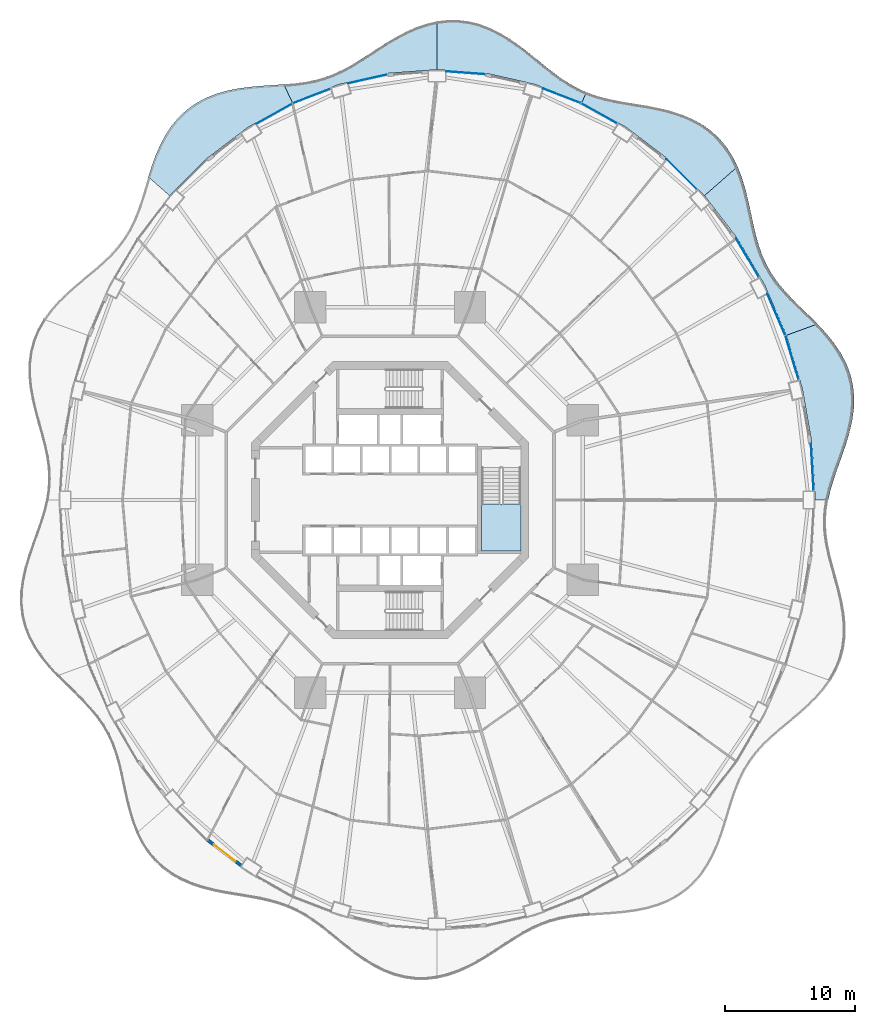
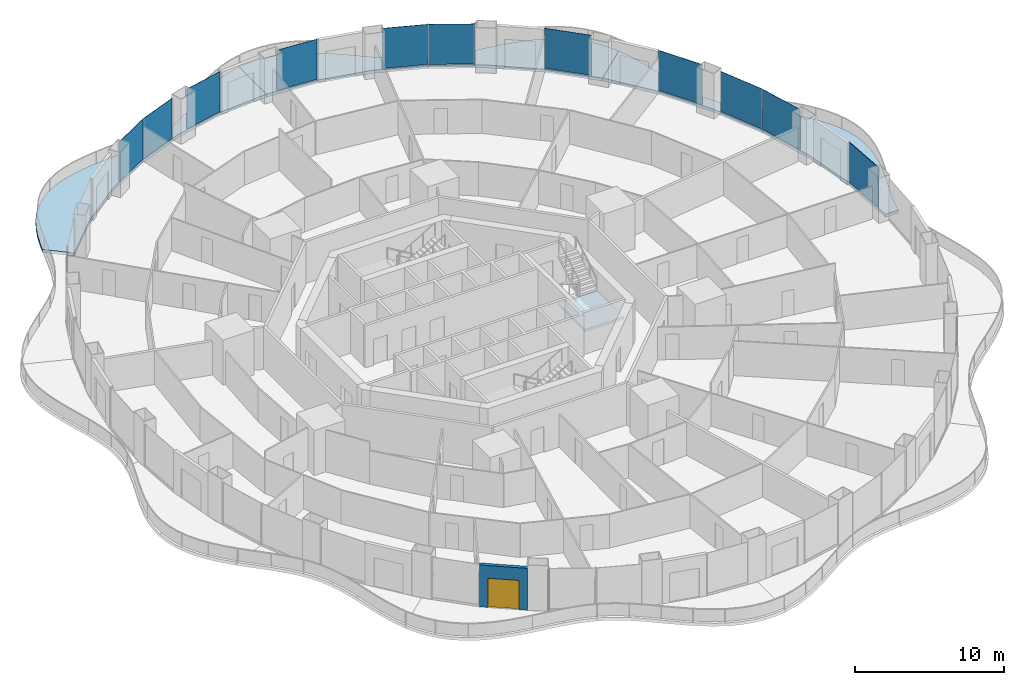
# One storey, part 13 of 22: 11 plates, 7 slabs, 1 door, 1 wall, 1 opening, 12 elements without a shape of their own.
"""IFC4 building model written with IfcOpenShell, lengths in metres."""

from ifc_helpers import new_model, si_unit, direction, frame, frame_2d, origin, origin_2d, place, context, subcontext, project, spatial, polyline, rectangle, outline, extrude, material, layer, layer_set, type_object, element, fill, aggregate, save


model = new_model("IFC4")

# Units and contexts
model_context = context("Model", 3, precision=1e-05, world=origin(), true_north=direction((0.0, 1.0)))
body_context = subcontext(model_context, "Body", "Model", "MODEL_VIEW")
ifc_project = project(units=[si_unit("LENGTHUNIT", "METRE"), si_unit("AREAUNIT", "SQUARE_METRE"), si_unit("VOLUMEUNIT", "CUBIC_METRE"), si_unit("PLANEANGLEUNIT", "RADIAN"), si_unit("MASSUNIT", "GRAM", prefix="KILO")], contexts=[model_context])

# Site, building, storey
site_placement = place(None, origin())
site = spatial("IfcSite", under=ifc_project, at=site_placement, CompositionType="ELEMENT")
building_placement = place(site_placement, origin())
building = spatial("IfcBuilding", under=site, at=building_placement, Name="Nagisa Residences", CompositionType="ELEMENT")
storey_placement = place(building_placement, frame((0.0, 0.0, 45.5)))
storey = spatial("IfcBuildingStorey", under=building, at=storey_placement, Name="L10", CompositionType="ELEMENT", Elevation=45.5)

# Slabs
ifc_material_1 = material(Name="Concrete C40/50", Category="concrete")
ifc_layer_1 = layer(ifc_material_1, 0.25)
ifc_layer_set_1 = layer_set([ifc_layer_1], Name="BALCONY SLAB 250")
slab_type_1 = type_object("IfcSlabType", Name="BALCONY SLAB 250", PredefinedType="FLOOR", material=ifc_layer_set_1)
slab_1_placement = place(storey_placement, frame((0.0, 0.0, -0.25)))
element("IfcSlab", 1, at=slab_1_placement, inside=storey, type_object=slab_type_1, Name="slab:L10:bal00", PredefinedType="FLOOR", context=body_context, shape_type="SweptSolid", body=[
    extrude(outline(polyline([(33.590576171875, 0.0), (33.789794921875, 0.8310546875), (34.048095703125, 1.673828125), (34.345703125, 2.53173828125), (34.659423828125, 3.406494140625), (34.962646484375, 4.296875), (35.229736328125, 5.199951171875), (35.435302734375, 6.110595703125), (35.5576171875, 7.021728515625), (35.5791015625, 7.925537109375), (35.488525390625, 8.81396484375), (35.28125, 9.678955078125), (34.958740234375, 10.513671875), (34.52978515625, 11.313720703125), (34.00927734375, 12.07666015625), (33.416748046875, 12.802734375), (32.77490234375, 13.495849609375), (30.392578125, 12.628662109375), (31.61181640625, 8.541015625), (32.351806640625, 4.307373046875), (32.60009765625, 0.0), (33.590576171875, 0.0)])), origin(), (0.0, 0.0, 1.0), 0.25),
])
slab_2_placement = place(storey_placement, frame((0.0, 0.0, -0.25)))
element("IfcSlab", 2, at=slab_2_placement, inside=storey, type_object=slab_type_1, Name="slab:L10:bal01", PredefinedType="FLOOR", context=body_context, shape_type="SweptSolid", body=[
    extrude(outline(polyline([(32.77490234375, 13.495849609375), (32.129638671875, 14.141845703125), (31.484619140625, 14.7705078125), (30.860595703125, 15.391845703125), (30.2763671875, 16.016357421875), (29.74609375, 16.654296875), (29.279296875, 17.316162109375), (28.879638671875, 18.009765625), (28.545654296875, 18.7412109375), (28.2705078125, 19.513427734375), (28.041748046875, 20.32568359375), (27.84375, 21.173583984375), (27.657958984375, 22.049072265625), (27.46435546875, 22.94091796875), (27.2431640625, 23.835205078125), (26.975830078125, 24.716064453125), (26.646240234375, 25.566650390625), (24.106201171875, 23.33447265625), (26.607177734375, 20.089111328125), (28.71484375, 16.5), (30.392578125, 12.628662109375), (32.77490234375, 13.495849609375)])), origin(), (0.0, 0.0, 1.0), 0.25),
])
slab_3_placement = place(storey_placement, frame((0.0, 0.0, -0.25)))
element("IfcSlab", 3, at=slab_3_placement, inside=storey, type_object=slab_type_1, Name="slab:L10:bal02", PredefinedType="FLOOR", context=body_context, shape_type="SweptSolid", body=[
    extrude(outline(polyline([(26.646240234375, 25.566650390625), (26.262939453125, 26.3349609375), (25.805419921875, 27.048095703125), (25.2705078125, 27.6953125), (24.659423828125, 28.26904296875), (23.9775390625, 28.7646484375), (23.2333984375, 29.181640625), (22.43798828125, 29.523193359375), (21.6044921875, 29.797119140625), (20.74755859375, 30.01416015625), (19.880859375, 30.188720703125), (19.017822265625, 30.336669921875), (18.170166015625, 30.475341796875), (17.346435546875, 30.62255859375), (16.552978515625, 30.794677734375), (15.79248046875, 31.00537109375), (15.064697265625, 31.266357421875), (14.69775390625, 30.488037109375), (18.10009765625, 28.578857421875), (21.254150390625, 26.1806640625), (24.106201171875, 23.33447265625), (26.646240234375, 25.566650390625)])), origin(), (0.0, 0.0, 1.0), 0.25),
])
slab_4_placement = place(storey_placement, frame((0.0, 0.0, -0.25)))
element("IfcSlab", 4, at=slab_4_placement, inside=storey, type_object=slab_type_1, Name="slab:L10:bal03", PredefinedType="FLOOR", context=body_context, shape_type="SweptSolid", body=[
    extrude(outline(polyline([(15.064697265625, 31.266357421875), (14.39111328125, 31.572021484375), (13.7392578125, 31.932861328125), (13.102294921875, 32.34716796875), (12.472412109375, 32.80908203125), (11.841064453125, 33.30810546875), (11.199951171875, 33.8310546875), (10.542236328125, 34.361572265625), (9.86181640625, 34.8818359375), (9.155517578125, 35.37255859375), (8.421142578125, 35.8154296875), (7.65966796875, 36.193115234375), (6.8740234375, 36.49072265625), (6.068603515625, 36.696533203125), (5.24951171875, 36.802978515625), (4.42431640625, 36.806884765625), (3.60009765625, 36.70947265625), (3.60009765625, 33.0), (7.38525390625, 32.7177734375), (11.105712890625, 31.87548828125), (14.69775390625, 30.488037109375), (15.064697265625, 31.266357421875)])), origin(), (0.0, 0.0, 1.0), 0.25),
])
slab_5_placement = place(storey_placement, frame((0.0, 0.0, -0.25)))
element("IfcSlab", 5, at=slab_5_placement, inside=storey, type_object=slab_type_1, Name="slab:L10:bal04", PredefinedType="FLOOR", context=body_context, shape_type="SweptSolid", body=[
    extrude(outline(polyline([(3.60009765625, 36.70947265625), (2.783935546875, 36.5166015625), (1.982177734375, 36.23876953125), (1.19970703125, 35.889404296875), (0.439453125, 35.4853515625), (-0.29736328125, 35.044677734375), (-1.012451171875, 34.5869140625), (-1.708740234375, 34.13037109375), (-2.391357421875, 33.69287109375), (-3.066650390625, 33.2890625), (-3.7421875, 32.9306640625), (-4.42529296875, 32.625244140625), (-5.122802734375, 32.376708984375), (-5.8408203125, 32.183837890625), (-6.583740234375, 32.041748046875), (-7.353271484375, 31.94140625), (-8.149658203125, 31.870849609375), (-7.497802734375, 30.488037109375), (-3.90576171875, 31.87548828125), (-0.185302734375, 32.7177734375), (3.60009765625, 33.0), (3.60009765625, 36.70947265625)])), origin(), (0.0, 0.0, 1.0), 0.25),
])
slab_6_placement = place(storey_placement, frame((0.0, 0.0, -0.25)))
element("IfcSlab", 6, at=slab_6_placement, inside=storey, type_object=slab_type_1, Name="slab:L10:bal05", PredefinedType="FLOOR", context=body_context, shape_type="SweptSolid", body=[
    extrude(outline(polyline([(-8.149658203125, 31.870849609375), (-9.00048828125, 31.813232421875), (-9.870361328125, 31.753662109375), (-10.750732421875, 31.673828125), (-11.6298828125, 31.5556640625), (-12.49560546875, 31.383056640625), (-13.334716796875, 31.142578125), (-14.134033203125, 30.823974609375), (-14.882080078125, 30.421875), (-15.56884765625, 29.93408203125), (-16.187744140625, 29.36376953125), (-16.735107421875, 28.717041015625), (-17.211669921875, 28.004638671875), (-17.62109375, 27.23876953125), (-17.971435546875, 26.4345703125), (-18.274169921875, 25.607421875), (-18.542724609375, 24.77294921875), (-16.906005859375, 23.33447265625), (-14.05419921875, 26.1806640625), (-10.89990234375, 28.578857421875), (-7.497802734375, 30.488037109375), (-8.149658203125, 31.870849609375)])), origin(), (0.0, 0.0, 1.0), 0.25),
])

# Curtain wall, plate
ifc_material_2 = material(Name="Concrete-coloured aluminium curtain wall system", Category="concrete")
ifc_layer_2 = layer(ifc_material_2, 0.159912109375)
ifc_layer_set_2 = layer_set([ifc_layer_2], Name="CW1 CURTAIN WALL")
curtain_wall_type = type_object("IfcCurtainWallType", Name="CW1 CURTAIN WALL", PredefinedType="NOTDEFINED", material=ifc_layer_set_2)
curtain_wall_1_placement = place(storey_placement, origin())
curtain_wall_1 = element("IfcCurtainWall", 7, at=curtain_wall_1_placement, inside=storey, type_object=curtain_wall_type, Name="cw:CW1:L10:00", PredefinedType="NOTDEFINED")
ifc_material_3 = material(Name="Clear laminated glass", Category="glass")
ifc_layer_3 = layer(ifc_material_3, 0.028076171875)
ifc_layer_set_3 = layer_set([ifc_layer_3], Name="CW1 GLASS PANEL")
plate_type = type_object("IfcPlateType", Name="CW1 GLASS PANEL", PredefinedType="CURTAIN_PANEL", material=ifc_layer_set_3)
plate_1_placement = place(storey_placement, frame((32.374267578125, 2.528564453125, 0.14990234375), z_axis=(0.0, 0.0, 1.0), x_axis=(-0.057503492216, 0.998345305184, 0.0)))
plate_1 = element("IfcPlate", 8, at=plate_1_placement, type_object=plate_type, Name="CW1 panel", PredefinedType="CURTAIN_PANEL", context=body_context, shape_type="SweptSolid", body=[
    extrude(rectangle(XDim=3.554443359375, YDim=0.028076171875, at=origin_2d()), origin(), (0.0, 0.0, 1.0), 3.2900390625),
])
aggregate(curtain_wall_1, [plate_1])

curtain_wall_2_placement = place(storey_placement, origin())
curtain_wall_2 = element("IfcCurtainWall", 9, at=curtain_wall_2_placement, inside=storey, type_object=curtain_wall_type, Name="cw:CW1:L10:02", PredefinedType="NOTDEFINED")
plate_2_placement = place(storey_placement, frame((30.81689453125, 10.926025390625, 0.14990234375), z_axis=(0.0, 0.0, 1.0), x_axis=(-0.285860274038, 0.958271310082, 0.0)))
plate_2 = element("IfcPlate", 10, at=plate_2_placement, type_object=plate_type, Name="CW1 panel", PredefinedType="CURTAIN_PANEL", context=body_context, shape_type="SweptSolid", body=[
    extrude(rectangle(XDim=3.505615234375, YDim=0.028076171875, at=origin_2d()), origin(), (0.0, 0.0, 1.0), 3.2900390625),
])
aggregate(curtain_wall_2, [plate_2])

curtain_wall_3_placement = place(storey_placement, origin())
curtain_wall_3 = element("IfcCurtainWall", 11, at=curtain_wall_3_placement, inside=storey, type_object=curtain_wall_type, Name="cw:CW1:L10:03", PredefinedType="NOTDEFINED")
plate_3_placement = place(storey_placement, frame((29.607421875, 14.23876953125, 0.14990234375), z_axis=(0.0, 0.0, 1.0), x_axis=(-0.397635934147, 0.917543276295, 0.0)))
plate_3 = element("IfcPlate", 12, at=plate_3_placement, type_object=plate_type, Name="CW1 panel", PredefinedType="CURTAIN_PANEL", context=body_context, shape_type="SweptSolid", body=[
    extrude(rectangle(XDim=3.45947265625, YDim=0.028076171875, at=origin_2d()), origin(), (0.0, 0.0, 1.0), 3.2900390625),
])
aggregate(curtain_wall_3, [plate_3])

curtain_wall_4_placement = place(storey_placement, origin())
curtain_wall_4 = element("IfcCurtainWall", 13, at=curtain_wall_4_placement, inside=storey, type_object=curtain_wall_type, Name="cw:CW1:L10:04", PredefinedType="NOTDEFINED")
plate_4_placement = place(storey_placement, frame((27.399658203125, 18.581787109375, 0.14990234375), z_axis=(0.0, 0.0, 1.0), x_axis=(-0.506348567002, 0.862328898214, 0.0)))
plate_4 = element("IfcPlate", 14, at=plate_4_placement, type_object=plate_type, Name="CW1 panel", PredefinedType="CURTAIN_PANEL", context=body_context, shape_type="SweptSolid", body=[
    extrude(rectangle(XDim=3.402099609375, YDim=0.028076171875, at=origin_2d()), origin(), (0.0, 0.0, 1.0), 3.2900390625),
])
aggregate(curtain_wall_4, [plate_4])

curtain_wall_5_placement = place(storey_placement, origin())
curtain_wall_5 = element("IfcCurtainWall", 15, at=curtain_wall_5_placement, inside=storey, type_object=curtain_wall_type, Name="cw:CW1:L10:06", PredefinedType="NOTDEFINED")
plate_5_placement = place(storey_placement, frame((22.3544921875, 24.969482421875, 0.14990234375), z_axis=(0.0, 0.0, 1.0), x_axis=(-0.707835924016, 0.706376885714, 0.0)))
plate_5 = element("IfcPlate", 16, at=plate_5_placement, type_object=plate_type, Name="CW1 panel", PredefinedType="CURTAIN_PANEL", context=body_context, shape_type="SweptSolid", body=[
    extrude(rectangle(XDim=3.269287109375, YDim=0.028076171875, at=origin_2d()), origin(), (0.0, 0.0, 1.0), 3.2900390625),
])
aggregate(curtain_wall_5, [plate_5])

curtain_wall_6_placement = place(storey_placement, origin())
curtain_wall_6 = element("IfcCurtainWall", 17, at=curtain_wall_6_placement, inside=storey, type_object=curtain_wall_type, Name="cw:CW1:L10:08", PredefinedType="NOTDEFINED")
plate_6_placement = place(storey_placement, frame((16.0283203125, 29.649658203125, 0.14990234375), z_axis=(0.0, 0.0, 1.0), x_axis=(-0.872072377523, 0.489376918501, 0.0)))
plate_6 = element("IfcPlate", 18, at=plate_6_placement, type_object=plate_type, Name="CW1 panel", PredefinedType="CURTAIN_PANEL", context=body_context, shape_type="SweptSolid", body=[
    extrude(rectangle(XDim=3.141357421875, YDim=0.028076171875, at=origin_2d()), origin(), (0.0, 0.0, 1.0), 3.2900390625),
])
aggregate(curtain_wall_6, [plate_6])

curtain_wall_7_placement = place(storey_placement, origin())
curtain_wall_7 = element("IfcCurtainWall", 19, at=curtain_wall_7_placement, inside=storey, type_object=curtain_wall_type, Name="cw:CW1:L10:09", PredefinedType="NOTDEFINED")
plate_7_placement = place(storey_placement, frame((13.17138671875, 30.991943359375, 0.14990234375), z_axis=(0.0, 0.0, 1.0), x_axis=(-0.932825759707, 0.360327770268, 0.0)))
plate_7 = element("IfcPlate", 20, at=plate_7_placement, type_object=plate_type, Name="CW1 panel", PredefinedType="CURTAIN_PANEL", context=body_context, shape_type="SweptSolid", body=[
    extrude(rectangle(XDim=3.0908203125, YDim=0.028076171875, at=origin_2d()), origin(), (0.0, 0.0, 1.0), 3.2900390625),
])
aggregate(curtain_wall_7, [plate_7])

curtain_wall_8_placement = place(storey_placement, origin())
curtain_wall_8 = element("IfcCurtainWall", 21, at=curtain_wall_8_placement, inside=storey, type_object=curtain_wall_type, Name="cw:CW1:L10:11", PredefinedType="NOTDEFINED")
plate_8_placement = place(storey_placement, frame((5.805908203125, 32.75537109375, 0.14990234375), z_axis=(0.0, 0.0, 1.0), x_axis=(-0.997230168512, 0.074377355493, 0.0)))
plate_8 = element("IfcPlate", 22, at=plate_8_placement, type_object=plate_type, Name="CW1 panel", PredefinedType="CURTAIN_PANEL", context=body_context, shape_type="SweptSolid", body=[
    extrude(rectangle(XDim=3.035888671875, YDim=0.028076171875, at=origin_2d()), origin(), (0.0, 0.0, 1.0), 3.2900390625),
])
aggregate(curtain_wall_8, [plate_8])

curtain_wall_9_placement = place(storey_placement, origin())
curtain_wall_9 = element("IfcCurtainWall", 23, at=curtain_wall_9_placement, inside=storey, type_object=curtain_wall_type, Name="cw:CW1:L10:13", PredefinedType="NOTDEFINED")
plate_9_placement = place(storey_placement, frame((-1.7158203125, 32.289306640625, 0.14990234375), z_axis=(0.0, 0.0, 1.0), x_axis=(-0.975327274089, -0.2207639201, 0.0)))
plate_9 = element("IfcPlate", 24, at=plate_9_placement, type_object=plate_type, Name="CW1 panel", PredefinedType="CURTAIN_PANEL", context=body_context, shape_type="SweptSolid", body=[
    extrude(rectangle(XDim=3.0546875, YDim=0.028076171875, at=origin_2d()), origin(), (0.0, 0.0, 1.0), 3.2900390625),
])
aggregate(curtain_wall_9, [plate_9])

curtain_wall_10_placement = place(storey_placement, origin())
curtain_wall_10 = element("IfcCurtainWall", 25, at=curtain_wall_10_placement, inside=storey, type_object=curtain_wall_type, Name="cw:CW1:L10:14", PredefinedType="NOTDEFINED")
plate_10_placement = place(storey_placement, frame((-6.02734375, 30.97021484375, 0.14990234375), z_axis=(0.0, 0.0, 1.0), x_axis=(-0.932825759707, -0.360327770268, 0.0)))
plate_10 = element("IfcPlate", 26, at=plate_10_placement, type_object=plate_type, Name="CW1 panel", PredefinedType="CURTAIN_PANEL", context=body_context, shape_type="SweptSolid", body=[
    extrude(rectangle(XDim=3.0908203125, YDim=0.028076171875, at=origin_2d()), origin(), (0.0, 0.0, 1.0), 3.2900390625),
])
aggregate(curtain_wall_10, [plate_10])

curtain_wall_11_placement = place(storey_placement, origin())
curtain_wall_11 = element("IfcCurtainWall", 27, at=curtain_wall_11_placement, inside=storey, type_object=curtain_wall_type, Name="cw:CW1:L10:15", PredefinedType="NOTDEFINED")
plate_11_placement = place(storey_placement, frame((-8.880615234375, 29.620361328125, 0.14990234375), z_axis=(0.0, 0.0, 1.0), x_axis=(-0.872072377523, -0.489376918501, 0.0)))
plate_11 = element("IfcPlate", 28, at=plate_11_placement, type_object=plate_type, Name="CW1 panel", PredefinedType="CURTAIN_PANEL", context=body_context, shape_type="SweptSolid", body=[
    extrude(rectangle(XDim=3.141357421875, YDim=0.028076171875, at=origin_2d()), origin(), (0.0, 0.0, 1.0), 3.2900390625),
])
aggregate(curtain_wall_11, [plate_11])

# Stair, slab
ifc_material_4 = material(Name="Concrete C60", Category="concrete")
stair_type = type_object("IfcStairType", Name="Exit stair", PredefinedType="HALF_TURN_STAIR", material=ifc_material_4)
stair_placement = place(storey_placement, origin())
stair = element("IfcStair", 29, at=stair_placement, inside=storey, type_object=stair_type, Name="L10 Exit stair E", PredefinedType="HALF_TURN_STAIR")
ifc_material_5 = material(Name="Concrete C60", Category="concrete")
ifc_layer_4 = layer(ifc_material_5, 0.199951171875)
ifc_layer_set_4 = layer_set([ifc_layer_4], Name="Stair landing")
slab_type_2 = type_object("IfcSlabType", Name="Stair landing", PredefinedType="LANDING", material=ifc_layer_set_4)
slab_7_placement = place(storey_placement, frame((0.0, 0.0, 1.64990234375)))
slab_7 = element("IfcSlab", 30, at=slab_7_placement, type_object=slab_type_2, Name="ST-E landing 1", PredefinedType="LANDING", context=body_context, shape_type="SweptSolid", body=[
    extrude(outline(polyline([(7.024658203125, -0.324951171875), (7.024658203125, -3.89990234375), (10.024658203125, -3.89990234375), (10.024658203125, -0.324951171875), (7.024658203125, -0.324951171875)])), origin(), (0.0, 0.0, 1.0), 0.2001953125),
])
aggregate(stair, [slab_7])

# Wall, opening, door
ifc_material_6 = material(Name="Precast concrete C40/50", Category="concrete")
ifc_layer_5 = layer(ifc_material_6, 0.25)
ifc_layer_set_5 = layer_set([ifc_layer_5], Name="BALCONY DOOR WALL 250")
wall_type = type_object("IfcWallType", Name="BALCONY DOOR WALL 250", PredefinedType="SOLIDWALL", material=ifc_layer_set_5)
wall_placement = place(storey_placement, frame((-11.381591796875, -28.0556640625, 0.0), z_axis=(0.0, 0.0, 1.0), x_axis=(-0.796022293214, 0.605267303517, 0.0)))
wall = element("IfcWall", 31, at=wall_placement, inside=storey, type_object=wall_type, Name="wall:L10:bay31", PredefinedType="SOLIDWALL", context=body_context, shape_type="SweptSolid", body=[
    extrude(rectangle(XDim=3.262451171875, YDim=0.25, at=frame_2d((1.63134765625, 0.0))), origin(), (0.0, 0.0, 1.0), 3.43994140625),
])
opening_placement = place(wall_placement, frame((0.5810546875, 0.0, 0.0)))
opening = element("IfcOpeningElement", 32, at=opening_placement, cuts=wall, Name="Opening BD-L10-11", PredefinedType="OPENING", context=body_context, shape_type="SweptSolid", body=[
    extrude(rectangle(XDim=2.10009765625, YDim=2.39990234375, at=frame_2d((1.050048828125, 1.199951171875))), frame((0.0, 0.135009765625, 0.0), z_axis=(0.0, -1.0, 0.0), x_axis=(1.0, 0.0, 0.0)), (0.0, 0.0, 1.0), 0.27001953125),
])
ifc_material_7 = material(Name="Aluminium and clear glass", Category="aluminium")
door_type = type_object("IfcDoorType", Name="BALCONY SLIDING DOOR 2100x2400", OperationType="SLIDING_TO_LEFT", PredefinedType="DOOR", material=ifc_material_7)
door_placement = place(opening_placement, origin())
door = element("IfcDoor", 33, at=door_placement, inside=storey, type_object=door_type, Name="door:L10:bay31", OperationType="SLIDING_TO_LEFT", OverallHeight=2.39990234375, OverallWidth=2.10009765625, PredefinedType="DOOR", context=body_context, shape_type="SweptSolid", body=[
    extrude(rectangle(XDim=2.10009765625, YDim=2.39990234375, at=frame_2d((1.050048828125, 1.199951171875))), frame((0.0, 0.02490234375, 0.0), z_axis=(0.0, -1.0, 0.0), x_axis=(1.0, 0.0, 0.0)), (0.0, 0.0, 1.0), 0.050048828125),
])
fill(opening, door)

save(model, "model.ifc")
